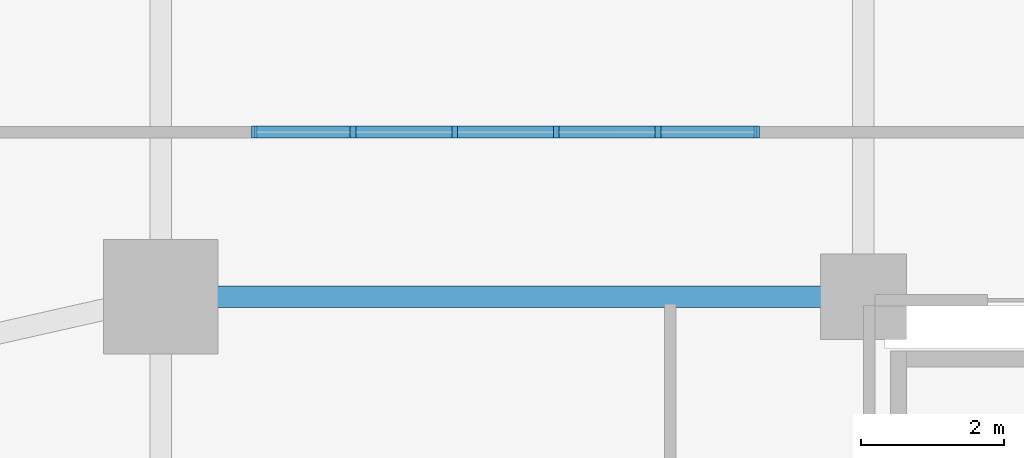
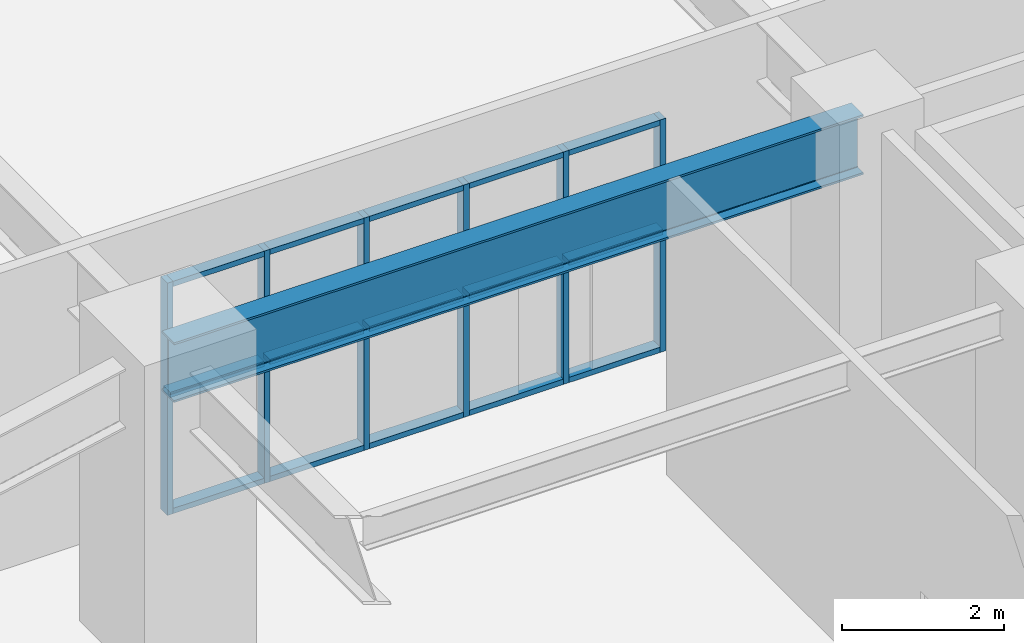
# One storey, part 2 of 13: 21 members, 1 beam, 1 element without a shape of its own.
"""IFC4 building model written with IfcOpenShell, lengths in metres."""

from ifc_helpers import new_model, si_unit, derived_unit, direction, frame, origin, origin_2d, place, context, subcontext, project, spatial, rectangle, i_section, extrude, material, material_profile, profile_set, type_object, element, aggregate, save


model = new_model("IFC4")

# Units and contexts
model_context = context("Model", 3, precision=1e-05, world=origin(), true_north=direction((0.0, 1.0)))
body_context = subcontext(model_context, "Body", "Model", "MODEL_VIEW")
ifc_project = project(units=[si_unit("LENGTHUNIT", "METRE"), si_unit("AREAUNIT", "SQUARE_METRE"), si_unit("VOLUMEUNIT", "CUBIC_METRE"), si_unit("PLANEANGLEUNIT", "RADIAN"), si_unit("MASSUNIT", "GRAM", prefix="KILO"), derived_unit("THERMALTRANSMITTANCEUNIT", [(si_unit("MASSUNIT", "GRAM", prefix="KILO"), 1), (si_unit("TIMEUNIT", "SECOND"), -3), (si_unit("THERMODYNAMICTEMPERATUREUNIT", "KELVIN"), -1)])], contexts=[model_context])

# Site, building, storey
site_placement = place(None, origin())
site = spatial("IfcSite", under=ifc_project, at=site_placement, CompositionType="ELEMENT")
building_placement = place(site_placement, origin())
building = spatial("IfcBuilding", under=site, at=building_placement, Name="Korrvale Station Residences", CompositionType="ELEMENT")
storey_placement = place(building_placement, frame((0.0, 0.0, 11.199951171875)))
storey = spatial("IfcBuildingStorey", under=building, at=storey_placement, Name="L02", CompositionType="ELEMENT", Elevation=11.199951171875)

# Beam
ifc_material_1 = material(Name="Steel S355", Category="steel")
ifc_material_profile = material_profile(ifc_material_1, i_section(OverallWidth=0.300048828125, OverallDepth=0.89990234375, WebThickness=0.01611328125, FlangeThickness=0.030029296875, FilletRadius=0.01611328125, at=origin_2d()), Name="WWF900x262")
ifc_profile_set = profile_set([ifc_material_profile], Name="Steel S355")
beam_type = type_object("IfcBeamType", Name="BM-BM-WWF900x262-S355", PredefinedType="BEAM", material=ifc_profile_set)
beam_placement = place(storey_placement, frame((7.97998046875, 29.0, 4.030029296875), z_axis=(1.0, 0.0, 0.0), x_axis=(0.0, 1.0, 0.0)))
element("IfcBeam", 1, at=beam_placement, inside=storey, type_object=beam_type, Name="L02 Station Primary Girder 08", PredefinedType="BEAM", context=body_context, shape_type="SweptSolid", body=[
    extrude(i_section(OverallWidth=0.300048828125, OverallDepth=0.89990234375, WebThickness=0.01611328125, FlangeThickness=0.030029296875, FilletRadius=0.01611328125, at=origin_2d()), origin(), (0.0, 0.0, 1.0), 9.820068359375),
])

# Curtain wall, members
ifc_material_2 = material(Name="Unitised thermally broken aluminium curtain wall with triple low-e IGU", Category="aluminium")
curtain_wall_type = type_object("IfcCurtainWallType", Name="CW-STN-CON", PredefinedType="NOTDEFINED", material=ifc_material_2)
curtain_wall_placement = place(storey_placement, origin())
curtain_wall = element("IfcCurtainWall", 2, at=curtain_wall_placement, inside=storey, type_object=curtain_wall_type, Name="L02 Curtain Wall CW2-RUN-5", PredefinedType="NOTDEFINED")
ifc_material_3 = material(Name="Extruded thermally broken aluminium mullion", Category="aluminium")
member_type_1 = type_object("IfcMemberType", Name="CW-STN-CON-M", PredefinedType="MULLION", material=ifc_material_3)
member_1_placement = place(storey_placement, frame((9.2900390625, 31.300048828125, 0.0), z_axis=(0.0, 0.0, 1.0), x_axis=(1.0, 0.0, 0.0)))
member_1 = element("IfcMember", 3, at=member_1_placement, type_object=member_type_1, Name="CW-STN-CON Mullion 1", PredefinedType="MULLION", context=body_context, shape_type="SweptSolid", body=[
    extrude(rectangle(XDim=0.080078125, YDim=0.169921875, at=origin_2d()), origin(), (0.0, 0.0, 1.0), 3.5),
])
member_2_placement = place(storey_placement, frame((10.669921875, 31.300048828125, 0.0), z_axis=(0.0, 0.0, 1.0), x_axis=(1.0, 0.0, 0.0)))
member_2 = element("IfcMember", 4, at=member_2_placement, type_object=member_type_1, Name="CW-STN-CON Mullion 2", PredefinedType="MULLION", context=body_context, shape_type="SweptSolid", body=[
    extrude(rectangle(XDim=0.080078125, YDim=0.169921875, at=origin_2d()), origin(), (0.0, 0.0, 1.0), 3.5),
])
member_3_placement = place(storey_placement, frame((12.090087890625, 31.300048828125, 0.0), z_axis=(0.0, 0.0, 1.0), x_axis=(1.0, 0.0, 0.0)))
member_3 = element("IfcMember", 5, at=member_3_placement, type_object=member_type_1, Name="CW-STN-CON Mullion 3", PredefinedType="MULLION", context=body_context, shape_type="SweptSolid", body=[
    extrude(rectangle(XDim=0.080078125, YDim=0.169921875, at=origin_2d()), origin(), (0.0, 0.0, 1.0), 3.5),
])
member_4_placement = place(storey_placement, frame((13.510009765625, 31.300048828125, 0.0), z_axis=(0.0, 0.0, 1.0), x_axis=(1.0, 0.0, 0.0)))
member_4 = element("IfcMember", 6, at=member_4_placement, type_object=member_type_1, Name="CW-STN-CON Mullion 4", PredefinedType="MULLION", context=body_context, shape_type="SweptSolid", body=[
    extrude(rectangle(XDim=0.080078125, YDim=0.169921875, at=origin_2d()), origin(), (0.0, 0.0, 1.0), 3.5),
])
member_5_placement = place(storey_placement, frame((14.929931640625, 31.300048828125, 0.0), z_axis=(0.0, 0.0, 1.0), x_axis=(1.0, 0.0, 0.0)))
member_5 = element("IfcMember", 7, at=member_5_placement, type_object=member_type_1, Name="CW-STN-CON Mullion 5", PredefinedType="MULLION", context=body_context, shape_type="SweptSolid", body=[
    extrude(rectangle(XDim=0.080078125, YDim=0.169921875, at=origin_2d()), origin(), (0.0, 0.0, 1.0), 3.5),
])
member_6_placement = place(storey_placement, frame((16.31005859375, 31.300048828125, 0.0), z_axis=(0.0, 0.0, 1.0), x_axis=(1.0, 0.0, 0.0)))
member_6 = element("IfcMember", 8, at=member_6_placement, type_object=member_type_1, Name="CW-STN-CON Mullion 6", PredefinedType="MULLION", context=body_context, shape_type="SweptSolid", body=[
    extrude(rectangle(XDim=0.080078125, YDim=0.169921875, at=origin_2d()), origin(), (0.0, 0.0, 1.0), 3.5),
])
ifc_material_4 = material(Name="Extruded thermally broken aluminium transom", Category="aluminium")
member_type_2 = type_object("IfcMemberType", Name="CW-STN-CON-T", PredefinedType="USERDEFINED", material=ifc_material_4)
member_7_placement = place(storey_placement, frame((9.9599609375, 31.300048828125, 0.0), z_axis=(0.0, 0.0, 1.0), x_axis=(1.0, 0.0, 0.0)))
member_7 = element("IfcMember", 9, at=member_7_placement, type_object=member_type_2, Name="CW-STN-CON Transom 1-1", ObjectType="TRANSOM", PredefinedType="USERDEFINED", context=body_context, shape_type="SweptSolid", body=[
    extrude(rectangle(XDim=1.340087890625, YDim=0.169921875, at=origin_2d()), origin(), (0.0, 0.0, 1.0), 0.080078125),
])
member_8_placement = place(storey_placement, frame((9.9599609375, 31.300048828125, 1.760009765625), z_axis=(0.0, 0.0, 1.0), x_axis=(1.0, 0.0, 0.0)))
member_8 = element("IfcMember", 10, at=member_8_placement, type_object=member_type_2, Name="CW-STN-CON Transom 1-2", ObjectType="TRANSOM", PredefinedType="USERDEFINED", context=body_context, shape_type="SweptSolid", body=[
    extrude(rectangle(XDim=1.340087890625, YDim=0.169921875, at=origin_2d()), origin(), (0.0, 0.0, 1.0), 0.080078125),
])
member_9_placement = place(storey_placement, frame((9.9599609375, 31.300048828125, 3.419921875), z_axis=(0.0, 0.0, 1.0), x_axis=(1.0, 0.0, 0.0)))
member_9 = element("IfcMember", 11, at=member_9_placement, type_object=member_type_2, Name="CW-STN-CON Transom 1-3", ObjectType="TRANSOM", PredefinedType="USERDEFINED", context=body_context, shape_type="SweptSolid", body=[
    extrude(rectangle(XDim=1.340087890625, YDim=0.169921875, at=origin_2d()), origin(), (0.0, 0.0, 1.0), 0.080078125),
])
member_10_placement = place(storey_placement, frame((11.3798828125, 31.300048828125, 0.0), z_axis=(0.0, 0.0, 1.0), x_axis=(1.0, 0.0, 0.0)))
member_10 = element("IfcMember", 12, at=member_10_placement, type_object=member_type_2, Name="CW-STN-CON Transom 2-1", ObjectType="TRANSOM", PredefinedType="USERDEFINED", context=body_context, shape_type="SweptSolid", body=[
    extrude(rectangle(XDim=1.340087890625, YDim=0.169921875, at=origin_2d()), origin(), (0.0, 0.0, 1.0), 0.080078125),
])
member_11_placement = place(storey_placement, frame((11.3798828125, 31.300048828125, 1.760009765625), z_axis=(0.0, 0.0, 1.0), x_axis=(1.0, 0.0, 0.0)))
member_11 = element("IfcMember", 13, at=member_11_placement, type_object=member_type_2, Name="CW-STN-CON Transom 2-2", ObjectType="TRANSOM", PredefinedType="USERDEFINED", context=body_context, shape_type="SweptSolid", body=[
    extrude(rectangle(XDim=1.340087890625, YDim=0.169921875, at=origin_2d()), origin(), (0.0, 0.0, 1.0), 0.080078125),
])
member_12_placement = place(storey_placement, frame((11.3798828125, 31.300048828125, 3.419921875), z_axis=(0.0, 0.0, 1.0), x_axis=(1.0, 0.0, 0.0)))
member_12 = element("IfcMember", 14, at=member_12_placement, type_object=member_type_2, Name="CW-STN-CON Transom 2-3", ObjectType="TRANSOM", PredefinedType="USERDEFINED", context=body_context, shape_type="SweptSolid", body=[
    extrude(rectangle(XDim=1.340087890625, YDim=0.169921875, at=origin_2d()), origin(), (0.0, 0.0, 1.0), 0.080078125),
])
member_13_placement = place(storey_placement, frame((12.800048828125, 31.300048828125, 0.0), z_axis=(0.0, 0.0, 1.0), x_axis=(1.0, 0.0, 0.0)))
member_13 = element("IfcMember", 15, at=member_13_placement, type_object=member_type_2, Name="CW-STN-CON Transom 3-1", ObjectType="TRANSOM", PredefinedType="USERDEFINED", context=body_context, shape_type="SweptSolid", body=[
    extrude(rectangle(XDim=1.340087890625, YDim=0.169921875, at=origin_2d()), origin(), (0.0, 0.0, 1.0), 0.080078125),
])
member_14_placement = place(storey_placement, frame((12.800048828125, 31.300048828125, 1.760009765625), z_axis=(0.0, 0.0, 1.0), x_axis=(1.0, 0.0, 0.0)))
member_14 = element("IfcMember", 16, at=member_14_placement, type_object=member_type_2, Name="CW-STN-CON Transom 3-2", ObjectType="TRANSOM", PredefinedType="USERDEFINED", context=body_context, shape_type="SweptSolid", body=[
    extrude(rectangle(XDim=1.340087890625, YDim=0.169921875, at=origin_2d()), origin(), (0.0, 0.0, 1.0), 0.080078125),
])
member_15_placement = place(storey_placement, frame((12.800048828125, 31.300048828125, 3.419921875), z_axis=(0.0, 0.0, 1.0), x_axis=(1.0, 0.0, 0.0)))
member_15 = element("IfcMember", 17, at=member_15_placement, type_object=member_type_2, Name="CW-STN-CON Transom 3-3", ObjectType="TRANSOM", PredefinedType="USERDEFINED", context=body_context, shape_type="SweptSolid", body=[
    extrude(rectangle(XDim=1.340087890625, YDim=0.169921875, at=origin_2d()), origin(), (0.0, 0.0, 1.0), 0.080078125),
])
member_16_placement = place(storey_placement, frame((14.219970703125, 31.300048828125, 0.0), z_axis=(0.0, 0.0, 1.0), x_axis=(1.0, 0.0, 0.0)))
member_16 = element("IfcMember", 18, at=member_16_placement, type_object=member_type_2, Name="CW-STN-CON Transom 4-1", ObjectType="TRANSOM", PredefinedType="USERDEFINED", context=body_context, shape_type="SweptSolid", body=[
    extrude(rectangle(XDim=1.340087890625, YDim=0.169921875, at=origin_2d()), origin(), (0.0, 0.0, 1.0), 0.080078125),
])
member_17_placement = place(storey_placement, frame((14.219970703125, 31.300048828125, 1.760009765625), z_axis=(0.0, 0.0, 1.0), x_axis=(1.0, 0.0, 0.0)))
member_17 = element("IfcMember", 19, at=member_17_placement, type_object=member_type_2, Name="CW-STN-CON Transom 4-2", ObjectType="TRANSOM", PredefinedType="USERDEFINED", context=body_context, shape_type="SweptSolid", body=[
    extrude(rectangle(XDim=1.340087890625, YDim=0.169921875, at=origin_2d()), origin(), (0.0, 0.0, 1.0), 0.080078125),
])
member_18_placement = place(storey_placement, frame((14.219970703125, 31.300048828125, 3.419921875), z_axis=(0.0, 0.0, 1.0), x_axis=(1.0, 0.0, 0.0)))
member_18 = element("IfcMember", 20, at=member_18_placement, type_object=member_type_2, Name="CW-STN-CON Transom 4-3", ObjectType="TRANSOM", PredefinedType="USERDEFINED", context=body_context, shape_type="SweptSolid", body=[
    extrude(rectangle(XDim=1.340087890625, YDim=0.169921875, at=origin_2d()), origin(), (0.0, 0.0, 1.0), 0.080078125),
])
member_19_placement = place(storey_placement, frame((15.639892578125, 31.300048828125, 0.0), z_axis=(0.0, 0.0, 1.0), x_axis=(1.0, 0.0, 0.0)))
member_19 = element("IfcMember", 21, at=member_19_placement, type_object=member_type_2, Name="CW-STN-CON Transom 5-1", ObjectType="TRANSOM", PredefinedType="USERDEFINED", context=body_context, shape_type="SweptSolid", body=[
    extrude(rectangle(XDim=1.340087890625, YDim=0.169921875, at=origin_2d()), origin(), (0.0, 0.0, 1.0), 0.080078125),
])
member_20_placement = place(storey_placement, frame((15.639892578125, 31.300048828125, 1.760009765625), z_axis=(0.0, 0.0, 1.0), x_axis=(1.0, 0.0, 0.0)))
member_20 = element("IfcMember", 22, at=member_20_placement, type_object=member_type_2, Name="CW-STN-CON Transom 5-2", ObjectType="TRANSOM", PredefinedType="USERDEFINED", context=body_context, shape_type="SweptSolid", body=[
    extrude(rectangle(XDim=1.340087890625, YDim=0.169921875, at=origin_2d()), origin(), (0.0, 0.0, 1.0), 0.080078125),
])
member_21_placement = place(storey_placement, frame((15.639892578125, 31.300048828125, 3.419921875), z_axis=(0.0, 0.0, 1.0), x_axis=(1.0, 0.0, 0.0)))
member_21 = element("IfcMember", 23, at=member_21_placement, type_object=member_type_2, Name="CW-STN-CON Transom 5-3", ObjectType="TRANSOM", PredefinedType="USERDEFINED", context=body_context, shape_type="SweptSolid", body=[
    extrude(rectangle(XDim=1.340087890625, YDim=0.169921875, at=origin_2d()), origin(), (0.0, 0.0, 1.0), 0.080078125),
])
aggregate(curtain_wall, [member_1, member_2, member_3, member_4, member_5, member_6, member_7, member_8, member_9, member_10, member_11, member_12, member_13, member_14, member_15, member_16, member_17, member_18, member_19, member_20, member_21])

save(model, "model.ifc")
